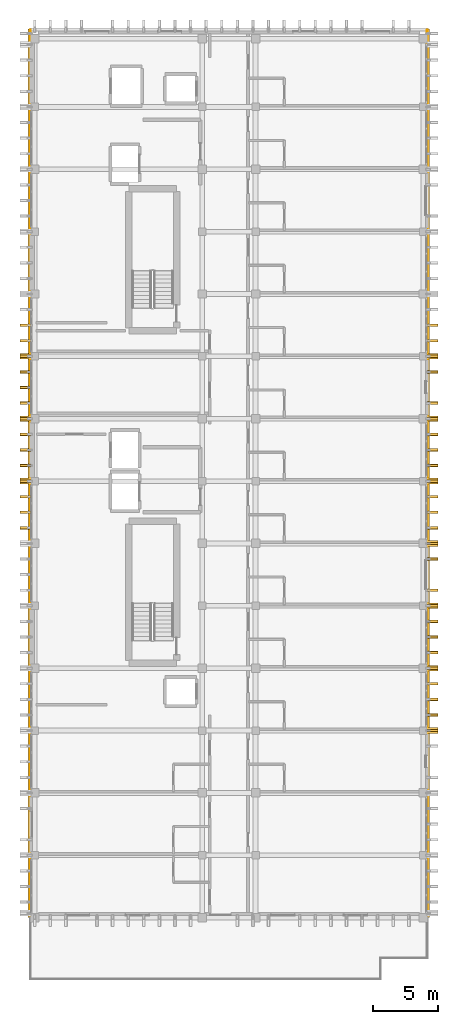
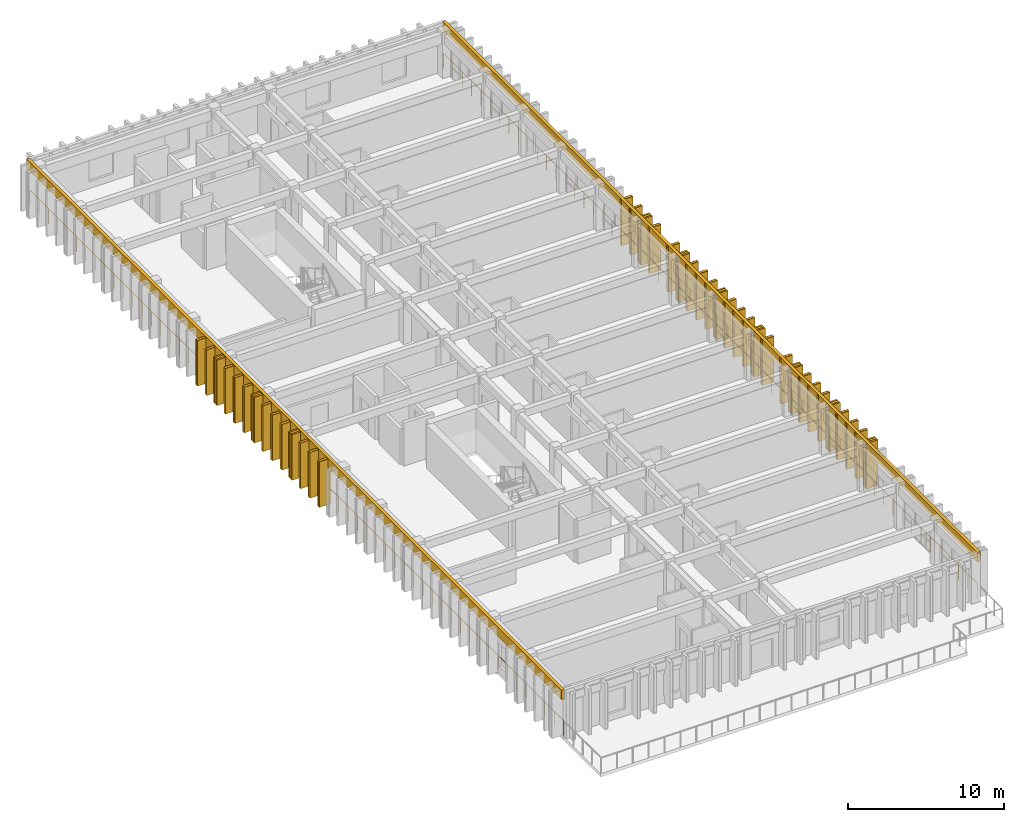
# One storey, part 47 of 49: 41 coverings, 39 shading devices, 2 railings.
"""IFC4 building model written with IfcOpenShell, lengths in metres."""

from ifc_helpers import new_model, si_unit, direction, frame, origin, origin_2d, place, context, subcontext, project, spatial, rectangle, circle, extrude, material, layer, layer_set, type_object, element, save


model = new_model("IFC4")

# Units and contexts
model_context = context("Model", 3, precision=1e-05, world=origin(), true_north=direction((0.0, 1.0)))
body_context = subcontext(model_context, "Body", "Model", "MODEL_VIEW")
ifc_project = project(units=[si_unit("LENGTHUNIT", "METRE"), si_unit("AREAUNIT", "SQUARE_METRE"), si_unit("VOLUMEUNIT", "CUBIC_METRE"), si_unit("PLANEANGLEUNIT", "RADIAN"), si_unit("MASSUNIT", "GRAM", prefix="KILO")], contexts=[model_context])

# Site, building, storey
site_placement = place(None, origin())
site = spatial("IfcSite", under=ifc_project, at=site_placement, CompositionType="ELEMENT")
building_placement = place(site_placement, origin())
building = spatial("IfcBuilding", under=site, at=building_placement, Name="Nakhvara Creek Congress Hotel", CompositionType="ELEMENT")
storey_placement = place(building_placement, frame((0.0, 0.0, 39.0)))
storey = spatial("IfcBuildingStorey", under=building, at=storey_placement, Name="L09", CompositionType="ELEMENT", Elevation=39.0)

# Coverings
ifc_material_1 = material(Name="Honed pale Omani limestone architectural cladding", Category="masonry")
ifc_layer_1 = layer(ifc_material_1, 0.219970703125)
ifc_layer_set_1 = layer_set([ifc_layer_1], Name="Honed pale Omani limestone architectural cladding")
covering_type_1 = type_object("IfcCoveringType", Name="COV-FIN-850", PredefinedType="CLADDING", material=ifc_layer_set_1)
covering_1_placement = place(storey_placement, frame((180.054931640625, 72.0, 0.0), z_axis=(0.0, 0.0, 1.0), x_axis=(0.0, 1.0, 0.0)))
element("IfcCovering", 1, at=covering_1_placement, inside=storey, type_object=covering_type_1, Name="Pale Limestone Fin Cladding CF01-2159", PredefinedType="CLADDING", context=body_context, shape_type="SweptSolid", body=[
    extrude(rectangle(XDim=0.43994140625, YDim=0.85009765625, at=origin_2d()), origin(), (0.0, 0.0, 1.0), 3.56005859375),
])
for number, where, z_axis, x_axis, name in (
    (2, (180.054931640625, 73.199951171875, 0.0), (0.0, 0.0, 1.0), (0.0, 1.0, 0.0), "Pale Limestone Fin Cladding CF01-2161"),
    (3, (180.054931640625, 74.39990234375, 0.0), (0.0, 0.0, 1.0), (0.0, 1.0, 0.0), "Pale Limestone Fin Cladding CF01-2163"),
    (4, (180.054931640625, 75.60009765625, 0.0), (0.0, 0.0, 1.0), (0.0, 1.0, 0.0), "Pale Limestone Fin Cladding CF01-2165"),
):
    element("IfcCovering", number, at=place(storey_placement, frame(where, z_axis=z_axis, x_axis=x_axis)), inside=storey, type_object=covering_type_1, Name=name, PredefinedType="CLADDING", context=body_context, shape_type="SweptSolid", body=[
        extrude(rectangle(XDim=0.219970703125, YDim=0.85009765625, at=origin_2d()), origin(), (0.0, 0.0, 1.0), 3.56005859375),
    ])
covering_2_placement = place(storey_placement, frame((180.054931640625, 76.800048828125, 0.0), z_axis=(0.0, 0.0, 1.0), x_axis=(0.0, 1.0, 0.0)))
element("IfcCovering", 5, at=covering_2_placement, inside=storey, type_object=covering_type_1, Name="Pale Limestone Fin Cladding CF01-2167", PredefinedType="CLADDING", context=body_context, shape_type="SweptSolid", body=[
    extrude(rectangle(XDim=0.43994140625, YDim=0.85009765625, at=origin_2d()), origin(), (0.0, 0.0, 1.0), 3.56005859375),
])
for number, where, z_axis, x_axis, name in (
    (6, (180.054931640625, 78.0, 0.0), (0.0, 0.0, 1.0), (0.0, 1.0, 0.0), "Pale Limestone Fin Cladding CF01-2169"),
    (7, (180.054931640625, 79.199951171875, 0.0), (0.0, 0.0, 1.0), (0.0, 1.0, 0.0), "Pale Limestone Fin Cladding CF01-2171"),
    (8, (180.054931640625, 80.39990234375, 0.0), (0.0, 0.0, 1.0), (0.0, 1.0, 0.0), "Pale Limestone Fin Cladding CF01-2173"),
):
    element("IfcCovering", number, at=place(storey_placement, frame(where, z_axis=z_axis, x_axis=x_axis)), inside=storey, type_object=covering_type_1, Name=name, PredefinedType="CLADDING", context=body_context, shape_type="SweptSolid", body=[
        extrude(rectangle(XDim=0.219970703125, YDim=0.85009765625, at=origin_2d()), origin(), (0.0, 0.0, 1.0), 3.56005859375),
    ])
covering_3_placement = place(storey_placement, frame((180.054931640625, 81.60009765625, 0.0), z_axis=(0.0, 0.0, 1.0), x_axis=(0.0, 1.0, 0.0)))
element("IfcCovering", 9, at=covering_3_placement, inside=storey, type_object=covering_type_1, Name="Pale Limestone Fin Cladding CF01-2175", PredefinedType="CLADDING", context=body_context, shape_type="SweptSolid", body=[
    extrude(rectangle(XDim=0.43994140625, YDim=0.85009765625, at=origin_2d()), origin(), (0.0, 0.0, 1.0), 3.56005859375),
])
for number, where, z_axis, x_axis, name in (
    (10, (180.054931640625, 82.800048828125, 0.0), (0.0, 0.0, 1.0), (0.0, 1.0, 0.0), "Pale Limestone Fin Cladding CF01-2177"),
    (11, (180.054931640625, 85.199951171875, 0.0), (0.0, 0.0, 1.0), (0.0, 1.0, 0.0), "Pale Limestone Fin Cladding CF01-2180"),
):
    element("IfcCovering", number, at=place(storey_placement, frame(where, z_axis=z_axis, x_axis=x_axis)), inside=storey, type_object=covering_type_1, Name=name, PredefinedType="CLADDING", context=body_context, shape_type="SweptSolid", body=[
        extrude(rectangle(XDim=0.219970703125, YDim=0.85009765625, at=origin_2d()), origin(), (0.0, 0.0, 1.0), 3.56005859375),
    ])
covering_4_placement = place(storey_placement, frame((180.054931640625, 86.39990234375, 0.0), z_axis=(0.0, 0.0, 1.0), x_axis=(0.0, 1.0, 0.0)))
element("IfcCovering", 12, at=covering_4_placement, inside=storey, type_object=covering_type_1, Name="Pale Limestone Fin Cladding CF01-2182", PredefinedType="CLADDING", context=body_context, shape_type="SweptSolid", body=[
    extrude(rectangle(XDim=0.43994140625, YDim=0.85009765625, at=origin_2d()), origin(), (0.0, 0.0, 1.0), 3.56005859375),
])
for number, where, z_axis, x_axis, name in (
    (13, (180.054931640625, 87.60009765625, 0.0), (0.0, 0.0, 1.0), (0.0, 1.0, 0.0), "Pale Limestone Fin Cladding CF01-2184"),
    (14, (148.7451171875, 87.60009765625, 0.0), (0.0, 0.0, 1.0), (0.0, 1.0, 0.0), "Pale Limestone Fin Cladding CF01-2185"),
    (15, (180.054931640625, 88.800048828125, 0.0), (0.0, 0.0, 1.0), (0.0, 1.0, 0.0), "Pale Limestone Fin Cladding CF01-2186"),
    (16, (148.7451171875, 88.800048828125, 0.0), (0.0, 0.0, 1.0), (0.0, 1.0, 0.0), "Pale Limestone Fin Cladding CF01-2187"),
    (17, (180.054931640625, 90.0, 0.0), (0.0, 0.0, 1.0), (0.0, 1.0, 0.0), "Pale Limestone Fin Cladding CF01-2188"),
    (18, (148.7451171875, 90.0, 0.0), (0.0, 0.0, 1.0), (0.0, 1.0, 0.0), "Pale Limestone Fin Cladding CF01-2189"),
):
    element("IfcCovering", number, at=place(storey_placement, frame(where, z_axis=z_axis, x_axis=x_axis)), inside=storey, type_object=covering_type_1, Name=name, PredefinedType="CLADDING", context=body_context, shape_type="SweptSolid", body=[
        extrude(rectangle(XDim=0.219970703125, YDim=0.85009765625, at=origin_2d()), origin(), (0.0, 0.0, 1.0), 3.56005859375),
    ])
for number, where, z_axis, x_axis, name in (
    (19, (180.054931640625, 91.199951171875, 0.0), (0.0, 0.0, 1.0), (0.0, 1.0, 0.0), "Pale Limestone Fin Cladding CF01-2190"),
    (20, (148.7451171875, 91.199951171875, 0.0), (0.0, 0.0, 1.0), (0.0, 1.0, 0.0), "Pale Limestone Fin Cladding CF01-2191"),
):
    element("IfcCovering", number, at=place(storey_placement, frame(where, z_axis=z_axis, x_axis=x_axis)), inside=storey, type_object=covering_type_1, Name=name, PredefinedType="CLADDING", context=body_context, shape_type="SweptSolid", body=[
        extrude(rectangle(XDim=0.43994140625, YDim=0.85009765625, at=origin_2d()), origin(), (0.0, 0.0, 1.0), 3.56005859375),
    ])
for number, where, z_axis, x_axis, name in (
    (21, (180.054931640625, 92.39990234375, 0.0), (0.0, 0.0, 1.0), (0.0, 1.0, 0.0), "Pale Limestone Fin Cladding CF01-2192"),
    (22, (148.7451171875, 92.39990234375, 0.0), (0.0, 0.0, 1.0), (0.0, 1.0, 0.0), "Pale Limestone Fin Cladding CF01-2193"),
    (23, (180.054931640625, 93.60009765625, 0.0), (0.0, 0.0, 1.0), (0.0, 1.0, 0.0), "Pale Limestone Fin Cladding CF01-2194"),
    (24, (148.7451171875, 93.60009765625, 0.0), (0.0, 0.0, 1.0), (0.0, 1.0, 0.0), "Pale Limestone Fin Cladding CF01-2195"),
    (25, (180.054931640625, 94.800048828125, 0.0), (0.0, 0.0, 1.0), (0.0, 1.0, 0.0), "Pale Limestone Fin Cladding CF01-2196"),
    (26, (148.7451171875, 94.800048828125, 0.0), (0.0, 0.0, 1.0), (0.0, 1.0, 0.0), "Pale Limestone Fin Cladding CF01-2197"),
):
    element("IfcCovering", number, at=place(storey_placement, frame(where, z_axis=z_axis, x_axis=x_axis)), inside=storey, type_object=covering_type_1, Name=name, PredefinedType="CLADDING", context=body_context, shape_type="SweptSolid", body=[
        extrude(rectangle(XDim=0.219970703125, YDim=0.85009765625, at=origin_2d()), origin(), (0.0, 0.0, 1.0), 3.56005859375),
    ])
for number, where, z_axis, x_axis, name in (
    (27, (180.054931640625, 96.0, 0.0), (0.0, 0.0, 1.0), (0.0, 1.0, 0.0), "Pale Limestone Fin Cladding CF01-2198"),
    (28, (148.7451171875, 96.0, 0.0), (0.0, 0.0, 1.0), (0.0, 1.0, 0.0), "Pale Limestone Fin Cladding CF01-2199"),
):
    element("IfcCovering", number, at=place(storey_placement, frame(where, z_axis=z_axis, x_axis=x_axis)), inside=storey, type_object=covering_type_1, Name=name, PredefinedType="CLADDING", context=body_context, shape_type="SweptSolid", body=[
        extrude(rectangle(XDim=0.43994140625, YDim=0.85009765625, at=origin_2d()), origin(), (0.0, 0.0, 1.0), 3.56005859375),
    ])
for number, where, z_axis, x_axis, name in (
    (29, (180.054931640625, 97.199951171875, 0.0), (0.0, 0.0, 1.0), (0.0, 1.0, 0.0), "Pale Limestone Fin Cladding CF01-2200"),
    (30, (148.7451171875, 97.199951171875, 0.0), (0.0, 0.0, 1.0), (0.0, 1.0, 0.0), "Pale Limestone Fin Cladding CF01-2201"),
    (31, (148.7451171875, 98.39990234375, 0.0), (0.0, 0.0, 1.0), (0.0, 1.0, 0.0), "Pale Limestone Fin Cladding CF01-2202"),
    (32, (180.054931640625, 99.60009765625, 0.0), (0.0, 0.0, 1.0), (0.0, 1.0, 0.0), "Pale Limestone Fin Cladding CF01-2203"),
    (33, (148.7451171875, 99.60009765625, 0.0), (0.0, 0.0, 1.0), (0.0, 1.0, 0.0), "Pale Limestone Fin Cladding CF01-2204"),
):
    element("IfcCovering", number, at=place(storey_placement, frame(where, z_axis=z_axis, x_axis=x_axis)), inside=storey, type_object=covering_type_1, Name=name, PredefinedType="CLADDING", context=body_context, shape_type="SweptSolid", body=[
        extrude(rectangle(XDim=0.219970703125, YDim=0.85009765625, at=origin_2d()), origin(), (0.0, 0.0, 1.0), 3.56005859375),
    ])
for number, where, z_axis, x_axis, name in (
    (34, (180.054931640625, 100.800048828125, 0.0), (0.0, 0.0, 1.0), (0.0, 1.0, 0.0), "Pale Limestone Fin Cladding CF01-2205"),
    (35, (148.7451171875, 100.800048828125, 0.0), (0.0, 0.0, 1.0), (0.0, 1.0, 0.0), "Pale Limestone Fin Cladding CF01-2206"),
):
    element("IfcCovering", number, at=place(storey_placement, frame(where, z_axis=z_axis, x_axis=x_axis)), inside=storey, type_object=covering_type_1, Name=name, PredefinedType="CLADDING", context=body_context, shape_type="SweptSolid", body=[
        extrude(rectangle(XDim=0.43994140625, YDim=0.85009765625, at=origin_2d()), origin(), (0.0, 0.0, 1.0), 3.56005859375),
    ])
for number, where, z_axis, x_axis, name in (
    (36, (180.054931640625, 102.0, 0.0), (0.0, 0.0, 1.0), (0.0, 1.0, 0.0), "Pale Limestone Fin Cladding CF01-2207"),
    (37, (148.7451171875, 102.0, 0.0), (0.0, 0.0, 1.0), (0.0, 1.0, 0.0), "Pale Limestone Fin Cladding CF01-2208"),
    (38, (180.054931640625, 103.199951171875, 0.0), (0.0, 0.0, 1.0), (0.0, 1.0, 0.0), "Pale Limestone Fin Cladding CF01-2209"),
    (39, (148.7451171875, 103.199951171875, 0.0), (0.0, 0.0, 1.0), (0.0, 1.0, 0.0), "Pale Limestone Fin Cladding CF01-2210"),
):
    element("IfcCovering", number, at=place(storey_placement, frame(where, z_axis=z_axis, x_axis=x_axis)), inside=storey, type_object=covering_type_1, Name=name, PredefinedType="CLADDING", context=body_context, shape_type="SweptSolid", body=[
        extrude(rectangle(XDim=0.219970703125, YDim=0.85009765625, at=origin_2d()), origin(), (0.0, 0.0, 1.0), 3.56005859375),
    ])
ifc_layer_2 = layer(ifc_material_1, 0.179931640625)
ifc_layer_set_2 = layer_set([ifc_layer_2], Name="Honed pale Omani limestone architectural cladding")
covering_type_2 = type_object("IfcCoveringType", Name="COV-SPN-180", PredefinedType="CLADDING", material=ifc_layer_set_2)
for number, where, z_axis, x_axis, name in (
    (40, (179.739990234375, 91.800048828125, 2.909912109375), (0.0, 0.0, 1.0), (0.0, 1.0, 0.0), "Pale Limestone Spandrel Band CF02-0077"),
    (41, (149.06005859375, 91.800048828125, 2.909912109375), (0.0, 0.0, 1.0), (0.0, 1.0, 0.0), "Pale Limestone Spandrel Band CF02-0078"),
):
    element("IfcCovering", number, at=place(storey_placement, frame(where, z_axis=z_axis, x_axis=x_axis)), inside=storey, type_object=covering_type_2, Name=name, PredefinedType="CLADDING", context=body_context, shape_type="SweptSolid", body=[
        extrude(rectangle(XDim=68.39990234375, YDim=0.219970703125, at=origin_2d()), origin(), (0.0, 0.0, 1.0), 0.72998046875),
    ])

# Railings
ifc_material_2 = material(Name="Brushed stainless steel 316L", Category="steel")
railing_type = type_object("IfcRailingType", Name="RL-GUARD-1200", PredefinedType="GUARDRAIL", material=ifc_material_2)
railing_1_placement = place(storey_placement, frame((179.669921875, 57.679931640625, 0.0)))
element("IfcRailing", 42, at=railing_1_placement, inside=storey, type_object=railing_type, Name="Perimeter Safety Rail East L09", PredefinedType="GUARDRAIL", context=body_context, shape_type="SweptSolid", body=[
    extrude(circle(Radius=0.02392578125, at=origin_2d()), frame((0.0, 0.0146484375, 1.17578125), z_axis=(0.0, 1.0, 0.0), x_axis=(-1.0, 0.0, 0.0)), (0.0, 0.0, 1.0), 68.210693359375),
    extrude(circle(Radius=0.02099609375, at=origin_2d()), origin(), (0.0, 0.0, 1.0), 1.1806640625),
    extrude(circle(Radius=0.02099609375, at=origin_2d()), frame((0.0, 1.197265625, 0.0)), (0.0, 0.0, 1.0), 1.1806640625),
    extrude(circle(Radius=0.02099609375, at=origin_2d()), frame((0.0, 2.394287109375, 0.0)), (0.0, 0.0, 1.0), 1.1806640625),
    extrude(circle(Radius=0.02099609375, at=origin_2d()), frame((0.0, 3.591552734375, 0.0)), (0.0, 0.0, 1.0), 1.1806640625),
    extrude(circle(Radius=0.02099609375, at=origin_2d()), frame((0.0, 4.788818359375, 0.0)), (0.0, 0.0, 1.0), 1.1806640625),
    extrude(circle(Radius=0.02099609375, at=origin_2d()), frame((0.0, 5.986083984375, 0.0)), (0.0, 0.0, 1.0), 1.1806640625),
    extrude(circle(Radius=0.02099609375, at=origin_2d()), frame((0.0, 7.18310546875, 0.0)), (0.0, 0.0, 1.0), 1.1806640625),
    extrude(circle(Radius=0.02099609375, at=origin_2d()), frame((0.0, 8.38037109375, 0.0)), (0.0, 0.0, 1.0), 1.1806640625),
    extrude(circle(Radius=0.02099609375, at=origin_2d()), frame((0.0, 9.57763671875, 0.0)), (0.0, 0.0, 1.0), 1.1806640625),
    extrude(circle(Radius=0.02099609375, at=origin_2d()), frame((0.0, 10.774658203125, 0.0)), (0.0, 0.0, 1.0), 1.1806640625),
    extrude(circle(Radius=0.02099609375, at=origin_2d()), frame((0.0, 11.971923828125, 0.0)), (0.0, 0.0, 1.0), 1.1806640625),
    extrude(circle(Radius=0.02099609375, at=origin_2d()), frame((0.0, 13.169189453125, 0.0)), (0.0, 0.0, 1.0), 1.1806640625),
    extrude(circle(Radius=0.02099609375, at=origin_2d()), frame((0.0, 14.3662109375, 0.0)), (0.0, 0.0, 1.0), 1.1806640625),
    extrude(circle(Radius=0.02099609375, at=origin_2d()), frame((0.0, 15.5634765625, 0.0)), (0.0, 0.0, 1.0), 1.1806640625),
    extrude(circle(Radius=0.02099609375, at=origin_2d()), frame((0.0, 16.7607421875, 0.0)), (0.0, 0.0, 1.0), 1.1806640625),
    extrude(circle(Radius=0.02099609375, at=origin_2d()), frame((0.0, 17.9580078125, 0.0)), (0.0, 0.0, 1.0), 1.1806640625),
    extrude(circle(Radius=0.02099609375, at=origin_2d()), frame((0.0, 19.155029296875, 0.0)), (0.0, 0.0, 1.0), 1.1806640625),
    extrude(circle(Radius=0.02099609375, at=origin_2d()), frame((0.0, 20.352294921875, 0.0)), (0.0, 0.0, 1.0), 1.1806640625),
    extrude(circle(Radius=0.02099609375, at=origin_2d()), frame((0.0, 21.549560546875, 0.0)), (0.0, 0.0, 1.0), 1.1806640625),
    extrude(circle(Radius=0.02099609375, at=origin_2d()), frame((0.0, 22.74658203125, 0.0)), (0.0, 0.0, 1.0), 1.1806640625),
    extrude(circle(Radius=0.02099609375, at=origin_2d()), frame((0.0, 23.94384765625, 0.0)), (0.0, 0.0, 1.0), 1.1806640625),
    extrude(circle(Radius=0.02099609375, at=origin_2d()), frame((0.0, 25.14111328125, 0.0)), (0.0, 0.0, 1.0), 1.1806640625),
    extrude(circle(Radius=0.02099609375, at=origin_2d()), frame((0.0, 26.338134765625, 0.0)), (0.0, 0.0, 1.0), 1.1806640625),
    extrude(circle(Radius=0.02099609375, at=origin_2d()), frame((0.0, 27.535400390625, 0.0)), (0.0, 0.0, 1.0), 1.1806640625),
    extrude(circle(Radius=0.02099609375, at=origin_2d()), frame((0.0, 28.732666015625, 0.0)), (0.0, 0.0, 1.0), 1.1806640625),
    extrude(circle(Radius=0.02099609375, at=origin_2d()), frame((0.0, 29.929931640625, 0.0)), (0.0, 0.0, 1.0), 1.1806640625),
    extrude(circle(Radius=0.02099609375, at=origin_2d()), frame((0.0, 31.126953125, 0.0)), (0.0, 0.0, 1.0), 1.1806640625),
    extrude(circle(Radius=0.02099609375, at=origin_2d()), frame((0.0, 32.32421875, 0.0)), (0.0, 0.0, 1.0), 1.1806640625),
    extrude(circle(Radius=0.02099609375, at=origin_2d()), frame((0.0, 33.521484375, 0.0)), (0.0, 0.0, 1.0), 1.1806640625),
    extrude(circle(Radius=0.02099609375, at=origin_2d()), frame((0.0, 34.718505859375, 0.0)), (0.0, 0.0, 1.0), 1.1806640625),
    extrude(circle(Radius=0.02099609375, at=origin_2d()), frame((0.0, 35.915771484375, 0.0)), (0.0, 0.0, 1.0), 1.1806640625),
    extrude(circle(Radius=0.02099609375, at=origin_2d()), frame((0.0, 37.113037109375, 0.0)), (0.0, 0.0, 1.0), 1.1806640625),
    extrude(circle(Radius=0.02099609375, at=origin_2d()), frame((0.0, 38.31005859375, 0.0)), (0.0, 0.0, 1.0), 1.1806640625),
    extrude(circle(Radius=0.02099609375, at=origin_2d()), frame((0.0, 39.50732421875, 0.0)), (0.0, 0.0, 1.0), 1.1806640625),
    extrude(circle(Radius=0.02099609375, at=origin_2d()), frame((0.0, 40.70458984375, 0.0)), (0.0, 0.0, 1.0), 1.1806640625),
    extrude(circle(Radius=0.02099609375, at=origin_2d()), frame((0.0, 41.90185546875, 0.0)), (0.0, 0.0, 1.0), 1.1806640625),
    extrude(circle(Radius=0.02099609375, at=origin_2d()), frame((0.0, 43.098876953125, 0.0)), (0.0, 0.0, 1.0), 1.1806640625),
    extrude(circle(Radius=0.02099609375, at=origin_2d()), frame((0.0, 44.296142578125, 0.0)), (0.0, 0.0, 1.0), 1.1806640625),
    extrude(circle(Radius=0.02099609375, at=origin_2d()), frame((0.0, 45.493408203125, 0.0)), (0.0, 0.0, 1.0), 1.1806640625),
    extrude(circle(Radius=0.02099609375, at=origin_2d()), frame((0.0, 46.6904296875, 0.0)), (0.0, 0.0, 1.0), 1.1806640625),
    extrude(circle(Radius=0.02099609375, at=origin_2d()), frame((0.0, 47.8876953125, 0.0)), (0.0, 0.0, 1.0), 1.1806640625),
    extrude(circle(Radius=0.02099609375, at=origin_2d()), frame((0.0, 49.0849609375, 0.0)), (0.0, 0.0, 1.0), 1.1806640625),
    extrude(circle(Radius=0.02099609375, at=origin_2d()), frame((0.0, 50.281982421875, 0.0)), (0.0, 0.0, 1.0), 1.1806640625),
    extrude(circle(Radius=0.02099609375, at=origin_2d()), frame((0.0, 51.479248046875, 0.0)), (0.0, 0.0, 1.0), 1.1806640625),
    extrude(circle(Radius=0.02099609375, at=origin_2d()), frame((0.0, 52.676513671875, 0.0)), (0.0, 0.0, 1.0), 1.1806640625),
    extrude(circle(Radius=0.02099609375, at=origin_2d()), frame((0.0, 53.873779296875, 0.0)), (0.0, 0.0, 1.0), 1.1806640625),
    extrude(circle(Radius=0.02099609375, at=origin_2d()), frame((0.0, 55.07080078125, 0.0)), (0.0, 0.0, 1.0), 1.1806640625),
    extrude(circle(Radius=0.02099609375, at=origin_2d()), frame((0.0, 56.26806640625, 0.0)), (0.0, 0.0, 1.0), 1.1806640625),
    extrude(circle(Radius=0.02099609375, at=origin_2d()), frame((0.0, 57.46533203125, 0.0)), (0.0, 0.0, 1.0), 1.1806640625),
    extrude(circle(Radius=0.02099609375, at=origin_2d()), frame((0.0, 58.662353515625, 0.0)), (0.0, 0.0, 1.0), 1.1806640625),
    extrude(circle(Radius=0.02099609375, at=origin_2d()), frame((0.0, 59.859619140625, 0.0)), (0.0, 0.0, 1.0), 1.1806640625),
    extrude(circle(Radius=0.02099609375, at=origin_2d()), frame((0.0, 61.056884765625, 0.0)), (0.0, 0.0, 1.0), 1.1806640625),
    extrude(circle(Radius=0.02099609375, at=origin_2d()), frame((0.0, 62.25390625, 0.0)), (0.0, 0.0, 1.0), 1.1806640625),
    extrude(circle(Radius=0.02099609375, at=origin_2d()), frame((0.0, 63.451171875, 0.0)), (0.0, 0.0, 1.0), 1.1806640625),
    extrude(circle(Radius=0.02099609375, at=origin_2d()), frame((0.0, 64.6484375, 0.0)), (0.0, 0.0, 1.0), 1.1806640625),
    extrude(circle(Radius=0.02099609375, at=origin_2d()), frame((0.0, 65.845703125, 0.0)), (0.0, 0.0, 1.0), 1.1806640625),
    extrude(circle(Radius=0.02099609375, at=origin_2d()), frame((0.0, 67.042724609375, 0.0)), (0.0, 0.0, 1.0), 1.1806640625),
    extrude(circle(Radius=0.02099609375, at=origin_2d()), frame((0.0, 68.239990234375, 0.0)), (0.0, 0.0, 1.0), 1.1806640625),
])
railing_2_placement = place(storey_placement, frame((149.1298828125, 57.679931640625, 0.0)))
element("IfcRailing", 43, at=railing_2_placement, inside=storey, type_object=railing_type, Name="Perimeter Safety Rail West L09", PredefinedType="GUARDRAIL", context=body_context, shape_type="SweptSolid", body=[
    extrude(circle(Radius=0.02392578125, at=origin_2d()), frame((0.0, 0.0146484375, 1.17578125), z_axis=(0.0, 1.0, 0.0), x_axis=(-1.0, 0.0, 0.0)), (0.0, 0.0, 1.0), 68.210693359375),
    extrude(circle(Radius=0.02099609375, at=origin_2d()), origin(), (0.0, 0.0, 1.0), 1.1806640625),
    extrude(circle(Radius=0.02099609375, at=origin_2d()), frame((0.0, 1.197265625, 0.0)), (0.0, 0.0, 1.0), 1.1806640625),
    extrude(circle(Radius=0.02099609375, at=origin_2d()), frame((0.0, 2.394287109375, 0.0)), (0.0, 0.0, 1.0), 1.1806640625),
    extrude(circle(Radius=0.02099609375, at=origin_2d()), frame((0.0, 3.591552734375, 0.0)), (0.0, 0.0, 1.0), 1.1806640625),
    extrude(circle(Radius=0.02099609375, at=origin_2d()), frame((0.0, 4.788818359375, 0.0)), (0.0, 0.0, 1.0), 1.1806640625),
    extrude(circle(Radius=0.02099609375, at=origin_2d()), frame((0.0, 5.986083984375, 0.0)), (0.0, 0.0, 1.0), 1.1806640625),
    extrude(circle(Radius=0.02099609375, at=origin_2d()), frame((0.0, 7.18310546875, 0.0)), (0.0, 0.0, 1.0), 1.1806640625),
    extrude(circle(Radius=0.02099609375, at=origin_2d()), frame((0.0, 8.38037109375, 0.0)), (0.0, 0.0, 1.0), 1.1806640625),
    extrude(circle(Radius=0.02099609375, at=origin_2d()), frame((0.0, 9.57763671875, 0.0)), (0.0, 0.0, 1.0), 1.1806640625),
    extrude(circle(Radius=0.02099609375, at=origin_2d()), frame((0.0, 10.774658203125, 0.0)), (0.0, 0.0, 1.0), 1.1806640625),
    extrude(circle(Radius=0.02099609375, at=origin_2d()), frame((0.0, 11.971923828125, 0.0)), (0.0, 0.0, 1.0), 1.1806640625),
    extrude(circle(Radius=0.02099609375, at=origin_2d()), frame((0.0, 13.169189453125, 0.0)), (0.0, 0.0, 1.0), 1.1806640625),
    extrude(circle(Radius=0.02099609375, at=origin_2d()), frame((0.0, 14.3662109375, 0.0)), (0.0, 0.0, 1.0), 1.1806640625),
    extrude(circle(Radius=0.02099609375, at=origin_2d()), frame((0.0, 15.5634765625, 0.0)), (0.0, 0.0, 1.0), 1.1806640625),
    extrude(circle(Radius=0.02099609375, at=origin_2d()), frame((0.0, 16.7607421875, 0.0)), (0.0, 0.0, 1.0), 1.1806640625),
    extrude(circle(Radius=0.02099609375, at=origin_2d()), frame((0.0, 17.9580078125, 0.0)), (0.0, 0.0, 1.0), 1.1806640625),
    extrude(circle(Radius=0.02099609375, at=origin_2d()), frame((0.0, 19.155029296875, 0.0)), (0.0, 0.0, 1.0), 1.1806640625),
    extrude(circle(Radius=0.02099609375, at=origin_2d()), frame((0.0, 20.352294921875, 0.0)), (0.0, 0.0, 1.0), 1.1806640625),
    extrude(circle(Radius=0.02099609375, at=origin_2d()), frame((0.0, 21.549560546875, 0.0)), (0.0, 0.0, 1.0), 1.1806640625),
    extrude(circle(Radius=0.02099609375, at=origin_2d()), frame((0.0, 22.74658203125, 0.0)), (0.0, 0.0, 1.0), 1.1806640625),
    extrude(circle(Radius=0.02099609375, at=origin_2d()), frame((0.0, 23.94384765625, 0.0)), (0.0, 0.0, 1.0), 1.1806640625),
    extrude(circle(Radius=0.02099609375, at=origin_2d()), frame((0.0, 25.14111328125, 0.0)), (0.0, 0.0, 1.0), 1.1806640625),
    extrude(circle(Radius=0.02099609375, at=origin_2d()), frame((0.0, 26.338134765625, 0.0)), (0.0, 0.0, 1.0), 1.1806640625),
    extrude(circle(Radius=0.02099609375, at=origin_2d()), frame((0.0, 27.535400390625, 0.0)), (0.0, 0.0, 1.0), 1.1806640625),
    extrude(circle(Radius=0.02099609375, at=origin_2d()), frame((0.0, 28.732666015625, 0.0)), (0.0, 0.0, 1.0), 1.1806640625),
    extrude(circle(Radius=0.02099609375, at=origin_2d()), frame((0.0, 29.929931640625, 0.0)), (0.0, 0.0, 1.0), 1.1806640625),
    extrude(circle(Radius=0.02099609375, at=origin_2d()), frame((0.0, 31.126953125, 0.0)), (0.0, 0.0, 1.0), 1.1806640625),
    extrude(circle(Radius=0.02099609375, at=origin_2d()), frame((0.0, 32.32421875, 0.0)), (0.0, 0.0, 1.0), 1.1806640625),
    extrude(circle(Radius=0.02099609375, at=origin_2d()), frame((0.0, 33.521484375, 0.0)), (0.0, 0.0, 1.0), 1.1806640625),
    extrude(circle(Radius=0.02099609375, at=origin_2d()), frame((0.0, 34.718505859375, 0.0)), (0.0, 0.0, 1.0), 1.1806640625),
    extrude(circle(Radius=0.02099609375, at=origin_2d()), frame((0.0, 35.915771484375, 0.0)), (0.0, 0.0, 1.0), 1.1806640625),
    extrude(circle(Radius=0.02099609375, at=origin_2d()), frame((0.0, 37.113037109375, 0.0)), (0.0, 0.0, 1.0), 1.1806640625),
    extrude(circle(Radius=0.02099609375, at=origin_2d()), frame((0.0, 38.31005859375, 0.0)), (0.0, 0.0, 1.0), 1.1806640625),
    extrude(circle(Radius=0.02099609375, at=origin_2d()), frame((0.0, 39.50732421875, 0.0)), (0.0, 0.0, 1.0), 1.1806640625),
    extrude(circle(Radius=0.02099609375, at=origin_2d()), frame((0.0, 40.70458984375, 0.0)), (0.0, 0.0, 1.0), 1.1806640625),
    extrude(circle(Radius=0.02099609375, at=origin_2d()), frame((0.0, 41.90185546875, 0.0)), (0.0, 0.0, 1.0), 1.1806640625),
    extrude(circle(Radius=0.02099609375, at=origin_2d()), frame((0.0, 43.098876953125, 0.0)), (0.0, 0.0, 1.0), 1.1806640625),
    extrude(circle(Radius=0.02099609375, at=origin_2d()), frame((0.0, 44.296142578125, 0.0)), (0.0, 0.0, 1.0), 1.1806640625),
    extrude(circle(Radius=0.02099609375, at=origin_2d()), frame((0.0, 45.493408203125, 0.0)), (0.0, 0.0, 1.0), 1.1806640625),
    extrude(circle(Radius=0.02099609375, at=origin_2d()), frame((0.0, 46.6904296875, 0.0)), (0.0, 0.0, 1.0), 1.1806640625),
    extrude(circle(Radius=0.02099609375, at=origin_2d()), frame((0.0, 47.8876953125, 0.0)), (0.0, 0.0, 1.0), 1.1806640625),
    extrude(circle(Radius=0.02099609375, at=origin_2d()), frame((0.0, 49.0849609375, 0.0)), (0.0, 0.0, 1.0), 1.1806640625),
    extrude(circle(Radius=0.02099609375, at=origin_2d()), frame((0.0, 50.281982421875, 0.0)), (0.0, 0.0, 1.0), 1.1806640625),
    extrude(circle(Radius=0.02099609375, at=origin_2d()), frame((0.0, 51.479248046875, 0.0)), (0.0, 0.0, 1.0), 1.1806640625),
    extrude(circle(Radius=0.02099609375, at=origin_2d()), frame((0.0, 52.676513671875, 0.0)), (0.0, 0.0, 1.0), 1.1806640625),
    extrude(circle(Radius=0.02099609375, at=origin_2d()), frame((0.0, 53.873779296875, 0.0)), (0.0, 0.0, 1.0), 1.1806640625),
    extrude(circle(Radius=0.02099609375, at=origin_2d()), frame((0.0, 55.07080078125, 0.0)), (0.0, 0.0, 1.0), 1.1806640625),
    extrude(circle(Radius=0.02099609375, at=origin_2d()), frame((0.0, 56.26806640625, 0.0)), (0.0, 0.0, 1.0), 1.1806640625),
    extrude(circle(Radius=0.02099609375, at=origin_2d()), frame((0.0, 57.46533203125, 0.0)), (0.0, 0.0, 1.0), 1.1806640625),
    extrude(circle(Radius=0.02099609375, at=origin_2d()), frame((0.0, 58.662353515625, 0.0)), (0.0, 0.0, 1.0), 1.1806640625),
    extrude(circle(Radius=0.02099609375, at=origin_2d()), frame((0.0, 59.859619140625, 0.0)), (0.0, 0.0, 1.0), 1.1806640625),
    extrude(circle(Radius=0.02099609375, at=origin_2d()), frame((0.0, 61.056884765625, 0.0)), (0.0, 0.0, 1.0), 1.1806640625),
    extrude(circle(Radius=0.02099609375, at=origin_2d()), frame((0.0, 62.25390625, 0.0)), (0.0, 0.0, 1.0), 1.1806640625),
    extrude(circle(Radius=0.02099609375, at=origin_2d()), frame((0.0, 63.451171875, 0.0)), (0.0, 0.0, 1.0), 1.1806640625),
    extrude(circle(Radius=0.02099609375, at=origin_2d()), frame((0.0, 64.6484375, 0.0)), (0.0, 0.0, 1.0), 1.1806640625),
    extrude(circle(Radius=0.02099609375, at=origin_2d()), frame((0.0, 65.845703125, 0.0)), (0.0, 0.0, 1.0), 1.1806640625),
    extrude(circle(Radius=0.02099609375, at=origin_2d()), frame((0.0, 67.042724609375, 0.0)), (0.0, 0.0, 1.0), 1.1806640625),
    extrude(circle(Radius=0.02099609375, at=origin_2d()), frame((0.0, 68.239990234375, 0.0)), (0.0, 0.0, 1.0), 1.1806640625),
])

# Shading devices
ifc_material_3 = material(Name="Honed pale Omani limestone cladding on stainless steel spine", Category="masonry")
shading_device_type = type_object("IfcShadingDeviceType", Name="SHD-FIN-850X3600", PredefinedType="USERDEFINED", material=ifc_material_3)
for number, where, z_axis, x_axis, name in (
    (44, (180.054931640625, 72.0, 0.0), (0.0, 0.0, 1.0), (0.0, 1.0, 0.0), "Limestone Solar Fin FN01-2024"),
    (45, (180.054931640625, 73.199951171875, 0.0), (0.0, 0.0, 1.0), (0.0, 1.0, 0.0), "Limestone Solar Fin FN01-2026"),
    (46, (180.054931640625, 74.39990234375, 0.0), (0.0, 0.0, 1.0), (0.0, 1.0, 0.0), "Limestone Solar Fin FN01-2028"),
    (47, (180.054931640625, 75.60009765625, 0.0), (0.0, 0.0, 1.0), (0.0, 1.0, 0.0), "Limestone Solar Fin FN01-2030"),
    (48, (180.054931640625, 76.800048828125, 0.0), (0.0, 0.0, 1.0), (0.0, 1.0, 0.0), "Limestone Solar Fin FN01-2032"),
    (49, (180.054931640625, 78.0, 0.0), (0.0, 0.0, 1.0), (0.0, 1.0, 0.0), "Limestone Solar Fin FN01-2034"),
    (50, (180.054931640625, 79.199951171875, 0.0), (0.0, 0.0, 1.0), (0.0, 1.0, 0.0), "Limestone Solar Fin FN01-2036"),
    (51, (180.054931640625, 80.39990234375, 0.0), (0.0, 0.0, 1.0), (0.0, 1.0, 0.0), "Limestone Solar Fin FN01-2038"),
    (52, (180.054931640625, 81.60009765625, 0.0), (0.0, 0.0, 1.0), (0.0, 1.0, 0.0), "Limestone Solar Fin FN01-2040"),
    (53, (180.054931640625, 82.800048828125, 0.0), (0.0, 0.0, 1.0), (0.0, 1.0, 0.0), "Limestone Solar Fin FN01-2042"),
    (54, (180.054931640625, 85.199951171875, 0.0), (0.0, 0.0, 1.0), (0.0, 1.0, 0.0), "Limestone Solar Fin FN01-2045"),
    (55, (180.054931640625, 86.39990234375, 0.0), (0.0, 0.0, 1.0), (0.0, 1.0, 0.0), "Limestone Solar Fin FN01-2047"),
    (56, (180.054931640625, 87.60009765625, 0.0), (0.0, 0.0, 1.0), (0.0, 1.0, 0.0), "Limestone Solar Fin FN01-2049"),
    (57, (148.7451171875, 87.60009765625, 0.0), (0.0, 0.0, 1.0), (0.0, 1.0, 0.0), "Limestone Solar Fin FN01-2050"),
    (58, (180.054931640625, 88.800048828125, 0.0), (0.0, 0.0, 1.0), (0.0, 1.0, 0.0), "Limestone Solar Fin FN01-2051"),
    (59, (148.7451171875, 88.800048828125, 0.0), (0.0, 0.0, 1.0), (0.0, 1.0, 0.0), "Limestone Solar Fin FN01-2052"),
    (60, (180.054931640625, 90.0, 0.0), (0.0, 0.0, 1.0), (0.0, 1.0, 0.0), "Limestone Solar Fin FN01-2053"),
    (61, (148.7451171875, 90.0, 0.0), (0.0, 0.0, 1.0), (0.0, 1.0, 0.0), "Limestone Solar Fin FN01-2054"),
    (62, (180.054931640625, 91.199951171875, 0.0), (0.0, 0.0, 1.0), (0.0, 1.0, 0.0), "Limestone Solar Fin FN01-2055"),
    (63, (148.7451171875, 91.199951171875, 0.0), (0.0, 0.0, 1.0), (0.0, 1.0, 0.0), "Limestone Solar Fin FN01-2056"),
    (64, (180.054931640625, 92.39990234375, 0.0), (0.0, 0.0, 1.0), (0.0, 1.0, 0.0), "Limestone Solar Fin FN01-2057"),
    (65, (148.7451171875, 92.39990234375, 0.0), (0.0, 0.0, 1.0), (0.0, 1.0, 0.0), "Limestone Solar Fin FN01-2058"),
    (66, (180.054931640625, 93.60009765625, 0.0), (0.0, 0.0, 1.0), (0.0, 1.0, 0.0), "Limestone Solar Fin FN01-2059"),
    (67, (148.7451171875, 93.60009765625, 0.0), (0.0, 0.0, 1.0), (0.0, 1.0, 0.0), "Limestone Solar Fin FN01-2060"),
    (68, (180.054931640625, 94.800048828125, 0.0), (0.0, 0.0, 1.0), (0.0, 1.0, 0.0), "Limestone Solar Fin FN01-2061"),
    (69, (148.7451171875, 94.800048828125, 0.0), (0.0, 0.0, 1.0), (0.0, 1.0, 0.0), "Limestone Solar Fin FN01-2062"),
    (70, (180.054931640625, 96.0, 0.0), (0.0, 0.0, 1.0), (0.0, 1.0, 0.0), "Limestone Solar Fin FN01-2063"),
    (71, (148.7451171875, 96.0, 0.0), (0.0, 0.0, 1.0), (0.0, 1.0, 0.0), "Limestone Solar Fin FN01-2064"),
    (72, (180.054931640625, 97.199951171875, 0.0), (0.0, 0.0, 1.0), (0.0, 1.0, 0.0), "Limestone Solar Fin FN01-2065"),
    (73, (148.7451171875, 97.199951171875, 0.0), (0.0, 0.0, 1.0), (0.0, 1.0, 0.0), "Limestone Solar Fin FN01-2066"),
    (74, (148.7451171875, 98.39990234375, 0.0), (0.0, 0.0, 1.0), (0.0, 1.0, 0.0), "Limestone Solar Fin FN01-2067"),
    (75, (180.054931640625, 99.60009765625, 0.0), (0.0, 0.0, 1.0), (0.0, 1.0, 0.0), "Limestone Solar Fin FN01-2068"),
    (76, (148.7451171875, 99.60009765625, 0.0), (0.0, 0.0, 1.0), (0.0, 1.0, 0.0), "Limestone Solar Fin FN01-2069"),
    (77, (180.054931640625, 100.800048828125, 0.0), (0.0, 0.0, 1.0), (0.0, 1.0, 0.0), "Limestone Solar Fin FN01-2070"),
    (78, (148.7451171875, 100.800048828125, 0.0), (0.0, 0.0, 1.0), (0.0, 1.0, 0.0), "Limestone Solar Fin FN01-2071"),
    (79, (180.054931640625, 102.0, 0.0), (0.0, 0.0, 1.0), (0.0, 1.0, 0.0), "Limestone Solar Fin FN01-2072"),
    (80, (148.7451171875, 102.0, 0.0), (0.0, 0.0, 1.0), (0.0, 1.0, 0.0), "Limestone Solar Fin FN01-2073"),
    (81, (180.054931640625, 103.199951171875, 0.0), (0.0, 0.0, 1.0), (0.0, 1.0, 0.0), "Limestone Solar Fin FN01-2074"),
    (82, (148.7451171875, 103.199951171875, 0.0), (0.0, 0.0, 1.0), (0.0, 1.0, 0.0), "Limestone Solar Fin FN01-2075"),
):
    element("IfcShadingDevice", number, at=place(storey_placement, frame(where, z_axis=z_axis, x_axis=x_axis)), inside=storey, type_object=shading_device_type, Name=name, ObjectType="FIN", PredefinedType="USERDEFINED", context=body_context, shape_type="SweptSolid", body=[
        extrude(rectangle(XDim=0.179931640625, YDim=0.85009765625, at=origin_2d()), origin(), (0.0, 0.0, 1.0), 3.56005859375),
    ])

save(model, "model.ifc")
